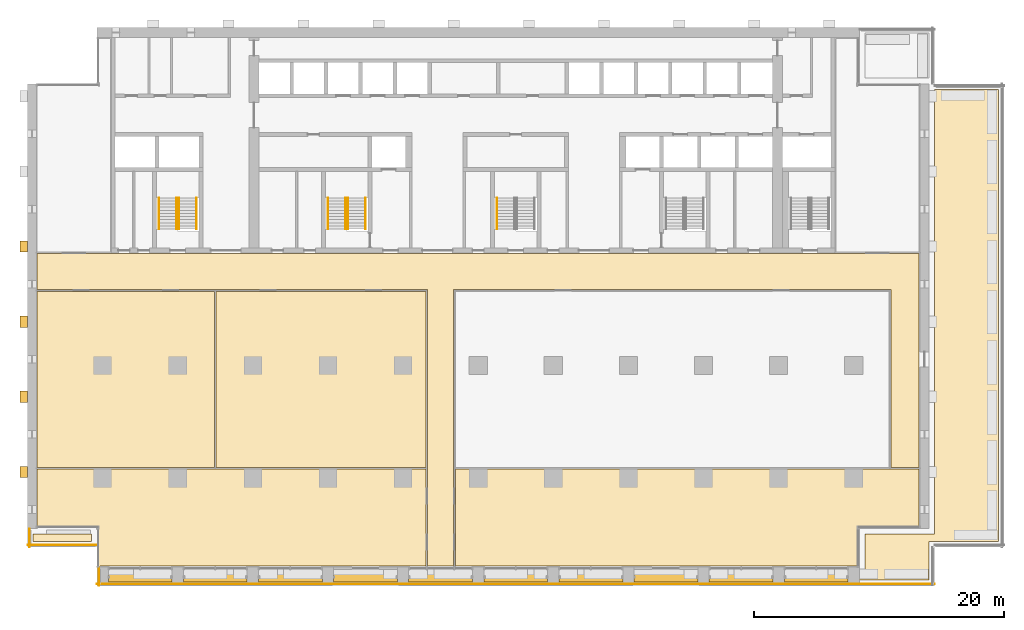
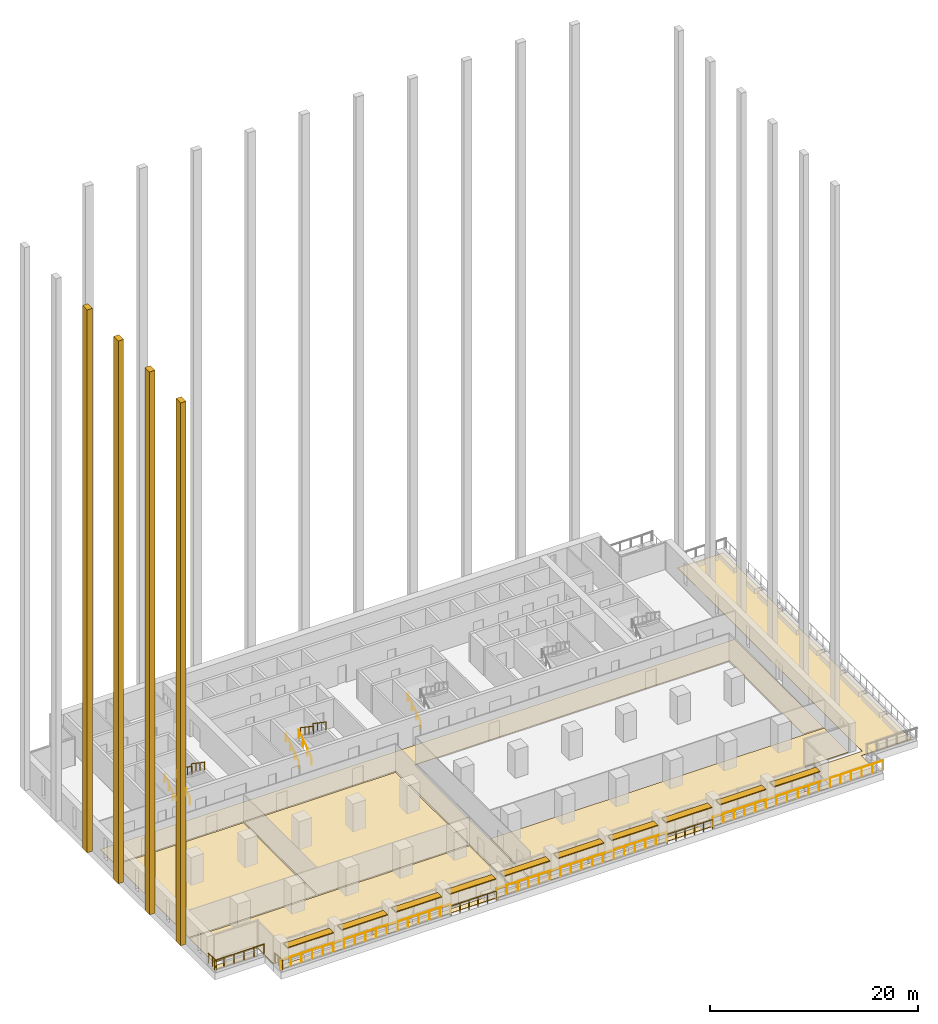
# One storey, part 15 of 18: 17 railings, 11 coverings, 10 shading devices, 3 elements without a shape of their own.
"""IFC4 building model written with IfcOpenShell, lengths in metres."""

import ifcopenshell
import ifcopenshell.guid

model = None  # the IFC model being written
_history = None  # IfcOwnerHistory: only IFC2X3 demands one
_inside = {}  # id of a spatial element -> (the spatial element, [elements in it])
_under = {}  # id of a project, library or spatial element -> (it, [spatial elements below it])
_declared = {}  # id of a project -> (the project, [libraries it declares])
_typed = {}  # id of a type object -> (the type object, [elements of that type])
_made_of = {}  # id of a material, layer set ... -> (it, [elements and type objects made of it])


def new_model(schema):
    """Start an empty IFC model of exactly this schema.

    Asked for "IFC4X3", IfcOpenShell would pick the latest addendum, in which some entities
    have other attributes; the version numbers below select the first issue.
    IFC2X3 requires an IfcOwnerHistory on every rooted entity: one is made here for all.
    """
    global model, _history
    if schema == "IFC4X3":
        model = ifcopenshell.file(schema_version=(4, 3, 0, 0))
    else:
        model = ifcopenshell.file(schema=schema)
    _inside.clear()
    _under.clear()
    _declared.clear()
    _typed.clear()
    _made_of.clear()
    _history = None
    if model.schema == "IFC2X3":
        org = make("IfcOrganization", Name="unknown")
        user = make(
            "IfcPersonAndOrganization",
            ThePerson=make("IfcPerson", FamilyName="unknown"),
            TheOrganization=org,
        )
        app = make(
            "IfcApplication",
            ApplicationDeveloper=org,
            Version="unknown",
            ApplicationFullName="unknown",
            ApplicationIdentifier="unknown",
        )
        _history = make(
            "IfcOwnerHistory",
            OwningUser=user,
            OwningApplication=app,
            ChangeAction="ADDED",
            CreationDate=0,
        )
    return model


def make(cls, **values):
    """One entity of the class cls with the attributes given. An attribute that is None is left unset."""
    return model.create_entity(
        cls, **{name: value for name, value in values.items() if value is not None}
    )


def rooted(cls, **values):
    """An entity with a GlobalId (a new one), such as an element, a storey or a relation."""
    return make(cls, GlobalId=ifcopenshell.guid.new(), OwnerHistory=_history, **values)


def si_unit(unit_type, name, prefix=None):
    """IfcSIUnit, for example si_unit("LENGTHUNIT", "METRE", prefix="MILLI")."""
    return make("IfcSIUnit", UnitType=unit_type, Prefix=prefix, Name=name)


def assignment(units):
    """IfcUnitAssignment: the units of a project."""
    return None if units is None else make("IfcUnitAssignment", Units=units)


def point(xyz):
    """IfcCartesianPoint."""
    return None if xyz is None else make("IfcCartesianPoint", Coordinates=xyz)


def direction(xyz):
    """IfcDirection."""
    return None if xyz is None else make("IfcDirection", DirectionRatios=xyz)


def frame(location, z_axis=None, x_axis=None):
    """IfcAxis2Placement3D, a coordinate frame: its origin and axes. An axis left out is left unset."""
    return make(
        "IfcAxis2Placement3D",
        Location=point(location),
        Axis=direction(z_axis),
        RefDirection=direction(x_axis),
    )


def frame_2d(location, x_axis=None):
    """IfcAxis2Placement2D, a coordinate frame in the plane: its origin and x axis."""
    return make(
        "IfcAxis2Placement2D", Location=point(location), RefDirection=direction(x_axis)
    )


def origin():
    """The frame at (0, 0, 0) with its axes left unset."""
    return frame((0.0, 0.0, 0.0))


def origin_2d():
    """The frame at (0, 0) in the plane with its x axis left unset."""
    return frame_2d((0.0, 0.0))


def place(relative_to, where):
    """IfcLocalPlacement: puts the frame where relative to a parent placement (None: the world)."""
    return make(
        "IfcLocalPlacement", PlacementRelTo=relative_to, RelativePlacement=where
    )


def context(
    kind, dimensions, precision=None, world=None, true_north=None, identifier=None
):
    """IfcGeometricRepresentationContext, for example the 3D "Model" context."""
    return make(
        "IfcGeometricRepresentationContext",
        ContextIdentifier=identifier,
        ContextType=kind,
        CoordinateSpaceDimension=dimensions,
        Precision=precision,
        WorldCoordinateSystem=world,
        TrueNorth=true_north,
    )


def subcontext(parent, identifier, kind, view, scale=None):
    """IfcGeometricRepresentationSubContext, for example "Body" below "Model"."""
    return make(
        "IfcGeometricRepresentationSubContext",
        ContextIdentifier=identifier,
        ContextType=kind,
        ParentContext=parent,
        TargetScale=scale,
        TargetView=view,
    )


def project(units=None, contexts=None):
    """IfcProject with its units and contexts."""
    return rooted(
        "IfcProject",
        Name="project",
        RepresentationContexts=contexts,
        UnitsInContext=assignment(units),
    )


def spatial(cls, under=None, at=None, **own):
    """A site, building, storey or space (cls), placed at a placement, below another one or the project."""
    s = rooted(cls, ObjectPlacement=at, **own)
    if under is not None:
        _under.setdefault(under.id(), (under, []))[1].append(s)
    return s


def polyline(points):
    """IfcPolyline through the points."""
    return make("IfcPolyline", Points=[point(p) for p in points])


def profile(cls, at=None, kind="AREA", **sizes):
    """A parametric profile (cls). Its sizes go by their IFC names, for example OverallWidth=200.0."""
    return make(cls, ProfileType=kind, Position=at, **sizes)


def rectangle(**sizes):
    """IfcRectangleProfileDef."""
    return profile("IfcRectangleProfileDef", **sizes)


def circle(**sizes):
    """IfcCircleProfileDef."""
    return profile("IfcCircleProfileDef", **sizes)


def outline(outer, holes=None, kind="AREA"):
    """IfcArbitraryClosedProfileDef: a profile drawn as a closed curve; with holes, ...WithVoids."""
    if holes is None:
        return make("IfcArbitraryClosedProfileDef", ProfileType=kind, OuterCurve=outer)
    return make(
        "IfcArbitraryProfileDefWithVoids",
        ProfileType=kind,
        OuterCurve=outer,
        InnerCurves=holes,
    )


def extrude(swept, where, along, depth):
    """IfcExtrudedAreaSolid: the profile swept, set in the frame where, extruded along a direction by depth."""
    return make(
        "IfcExtrudedAreaSolid",
        SweptArea=swept,
        Position=where,
        ExtrudedDirection=direction(along),
        Depth=depth,
    )


def shape(context_of_items, identifier, shape_type, items):
    """IfcShapeRepresentation: the items that make up one representation, for example the "Body"."""
    return make(
        "IfcShapeRepresentation",
        ContextOfItems=context_of_items,
        RepresentationIdentifier=identifier,
        RepresentationType=shape_type,
        Items=items,
    )


def material(Name=None, Category=None):
    """IfcMaterial."""
    return make("IfcMaterial", Name=Name, Category=Category)


def layer(
    of_material, thickness, ventilated=None, Name=None, Category=None, Priority=None
):
    """IfcMaterialLayer: one layer of a wall or slab, of a material (None: an air gap)."""
    return make(
        "IfcMaterialLayer",
        Material=of_material,
        LayerThickness=thickness,
        IsVentilated=ventilated,
        Name=Name,
        Category=Category,
        Priority=Priority,
    )


def layer_set(layers, Name=None):
    """IfcMaterialLayerSet."""
    return make("IfcMaterialLayerSet", MaterialLayers=layers, LayerSetName=Name)


def material_profile(
    of_material, cross_section, Name=None, Category=None, Priority=None
):
    """IfcMaterialProfile: a cross section and its material."""
    return make(
        "IfcMaterialProfile",
        Name=Name,
        Material=of_material,
        Profile=cross_section,
        Priority=Priority,
        Category=Category,
    )


def profile_set(profiles, Name=None, composite=None):
    """IfcMaterialProfileSet."""
    return make(
        "IfcMaterialProfileSet",
        Name=Name,
        MaterialProfiles=profiles,
        CompositeProfile=composite,
    )


def made_of(thing, what):
    """Note that an element or type object is made of a material, layer set ...; save() writes the relation."""
    if what is not None:
        _made_of.setdefault(what.id(), (what, []))[1].append(thing)
    return thing


def type_object(cls, material=None, **own):
    """A type object (cls), such as IfcWallType, which elements share."""
    return made_of(rooted(cls, **own), material)


def element(
    cls,
    number,
    at=None,
    inside=None,
    cuts=None,
    type_object=None,
    material=None,
    context=None,
    identifier="Body",
    shape_type=None,
    held_by="IfcProductDefinitionShape",
    body=None,
    shapes=None,
    **own,
):
    """One element of the class cls, such as IfcWall. Its Tag is "e" and its number.

    at: its placement. inside: the storey or other place that contains it. cuts: it is an
    opening in that element (IfcRelVoidsElement). A single representation is given by context,
    identifier, shape_type and body (its items); several are given by shapes. held_by: the class
    of the entity that holds the representations. save() writes the other relations.
    """
    e = rooted(cls, Tag="e%d" % number, ObjectPlacement=at, **own)
    if body is not None:
        shapes = [shape(context, identifier, shape_type, body)]
    if shapes is not None:
        e.Representation = make(held_by, Representations=shapes)
    if inside is not None:
        _inside.setdefault(inside.id(), (inside, []))[1].append(e)
    if cuts is not None:
        rooted(
            "IfcRelVoidsElement", RelatingBuildingElement=cuts, RelatedOpeningElement=e
        )
    if type_object is not None:
        _typed.setdefault(type_object.id(), (type_object, []))[1].append(e)
    return made_of(e, material)


def aggregate(whole, parts):
    """IfcRelAggregates: a whole, such as a stair, and the parts it consists of."""
    return rooted("IfcRelAggregates", RelatingObject=whole, RelatedObjects=parts)


def save(model, path):
    """Write the relations noted so far, then the file.

    IfcRelAggregates (storeys below a building ...), IfcRelContainedInSpatialStructure (elements
    in a storey), IfcRelDefinesByType, IfcRelAssociatesMaterial and IfcRelDeclares: one each for
    every whole, place, type object, material and project.
    """
    for whole, parts in _under.values():
        aggregate(whole, parts)
    for where, things in _inside.values():
        rooted(
            "IfcRelContainedInSpatialStructure",
            RelatedElements=things,
            RelatingStructure=where,
        )
    for kind, things in _typed.values():
        rooted("IfcRelDefinesByType", RelatedObjects=things, RelatingType=kind)
    for what, things in _made_of.values():
        rooted("IfcRelAssociatesMaterial", RelatedObjects=things, RelatingMaterial=what)
    for by, libraries in _declared.values():
        rooted("IfcRelDeclares", RelatingContext=by, RelatedDefinitions=libraries)
    model.write(path)


model = new_model("IFC4")

# Units and contexts
model_context = context("Model", 3, precision=1e-05, world=origin(), true_north=direction((0.0, 1.0)))
body_context = subcontext(model_context, "Body", "Model", "MODEL_VIEW")
ifc_project = project(units=[si_unit("LENGTHUNIT", "METRE"), si_unit("AREAUNIT", "SQUARE_METRE"), si_unit("VOLUMEUNIT", "CUBIC_METRE"), si_unit("PLANEANGLEUNIT", "RADIAN"), si_unit("MASSUNIT", "GRAM", prefix="KILO")], contexts=[model_context])

# Site, building, storey
site_placement = place(None, origin())
site = spatial("IfcSite", under=ifc_project, at=site_placement, CompositionType="ELEMENT")
building_placement = place(site_placement, origin())
building = spatial("IfcBuilding", under=site, at=building_placement, Name="Calvaro Tower", CompositionType="ELEMENT")
storey_placement = place(building_placement, frame((0.0, 0.0, 95.0)))
storey = spatial("IfcBuildingStorey", under=building, at=storey_placement, Name="L23", CompositionType="ELEMENT", Elevation=95.0)

# Shading devices
ifc_material_1 = material(Name="Anodised aluminium", Category="aluminium")
ifc_material_profile = material_profile(ifc_material_1, rectangle(XDim=0.800048828125, YDim=0.10009765625, at=origin_2d()), Name="Brise-soleil blade 800 x 100")
ifc_profile_set = profile_set([ifc_material_profile], Name="Anodised aluminium")
shading_device_type = type_object("IfcShadingDeviceType", Name="Brise-soleil blade 800 x 100", PredefinedType="JALOUSIE", material=ifc_profile_set)
for number, where, z_axis, x_axis, name in (
    (1, (6.449951171875, 2.10009765625, 2.39990234375), (1.0, 0.0, 0.0), (0.0, 1.0, 0.0), "Brise-soleil blade 1"),
    (2, (12.449951171875, 2.10009765625, 2.39990234375), (1.0, 0.0, 0.0), (0.0, 1.0, 0.0), "Brise-soleil blade 2"),
    (3, (18.449951171875, 2.10009765625, 2.39990234375), (1.0, 0.0, 0.0), (0.0, 1.0, 0.0), "Brise-soleil blade 3"),
    (4, (24.449951171875, 2.10009765625, 2.39990234375), (1.0, 0.0, 0.0), (0.0, 1.0, 0.0), "Brise-soleil blade 4"),
    (5, (30.449951171875, 2.10009765625, 2.39990234375), (1.0, 0.0, 0.0), (0.0, 1.0, 0.0), "Brise-soleil blade 5"),
    (6, (36.449951171875, 2.10009765625, 2.39990234375), (1.0, 0.0, 0.0), (0.0, 1.0, 0.0), "Brise-soleil blade 6"),
    (7, (42.449951171875, 2.10009765625, 2.39990234375), (1.0, 0.0, 0.0), (0.0, 1.0, 0.0), "Brise-soleil blade 7"),
    (8, (48.449951171875, 2.10009765625, 2.39990234375), (1.0, 0.0, 0.0), (0.0, 1.0, 0.0), "Brise-soleil blade 8"),
    (9, (54.449951171875, 2.10009765625, 2.39990234375), (1.0, 0.0, 0.0), (0.0, 1.0, 0.0), "Brise-soleil blade 9"),
    (10, (60.449951171875, 2.10009765625, 2.39990234375), (1.0, 0.0, 0.0), (0.0, 1.0, 0.0), "Brise-soleil blade 10"),
):
    element("IfcShadingDevice", number, at=place(storey_placement, frame(where, z_axis=z_axis, x_axis=x_axis)), inside=storey, type_object=shading_device_type, Name=name, PredefinedType="JALOUSIE", context=body_context, shape_type="SweptSolid", body=[
        extrude(rectangle(XDim=0.800048828125, YDim=0.10009765625, at=origin_2d()), origin(), (0.0, 0.0, 1.0), 5.10009765625),
    ])

# Coverings
ifc_material_2 = material(Name="Cement screed with carpet tile finish")
ifc_layer_1 = layer(ifc_material_2, 0.050048828125)
ifc_layer_set_1 = layer_set([ifc_layer_1], Name="Cement screed with carpet tile finish")
covering_type_1 = type_object("IfcCoveringType", Name="Floor finish 50", PredefinedType="FLOORING", material=ifc_layer_set_1)
covering_1_placement = place(storey_placement, origin())
element("IfcCovering", 11, at=covering_1_placement, inside=storey, type_object=covering_type_1, Name="Floor finish 41.01", PredefinedType="FLOORING", context=body_context, shape_type="SweptSolid", body=[
    extrude(outline(polyline([(31.969970703125, 2.969970703125), (31.969970703125, 25.070068359375), (0.77001953125, 25.070068359375), (0.77001953125, 27.929931640625), (71.22998046875, 27.929931640625), (71.22998046875, 10.8701171875), (68.969970703125, 10.8701171875), (68.969970703125, 25.070068359375), (34.030029296875, 25.070068359375), (34.030029296875, 2.969970703125), (31.969970703125, 2.969970703125)])), origin(), (0.0, 0.0, 1.0), 0.050048828125),
])
covering_2_placement = place(storey_placement, origin())
element("IfcCovering", 12, at=covering_2_placement, inside=storey, type_object=covering_type_1, Name="Floor finish 41.04", PredefinedType="FLOORING", context=body_context, shape_type="SweptSolid", body=[
    extrude(outline(polyline([(0.77001953125, 24.929931640625), (14.929931640625, 24.929931640625), (14.929931640625, 10.8701171875), (0.77001953125, 10.8701171875), (0.77001953125, 24.929931640625)])), origin(), (0.0, 0.0, 1.0), 0.050048828125),
])
covering_3_placement = place(storey_placement, origin())
element("IfcCovering", 13, at=covering_3_placement, inside=storey, type_object=covering_type_1, Name="Floor finish 41.05", PredefinedType="FLOORING", context=body_context, shape_type="SweptSolid", body=[
    extrude(outline(polyline([(31.830078125, 10.8701171875), (15.070068359375, 10.8701171875), (15.070068359375, 24.929931640625), (31.830078125, 24.929931640625), (31.830078125, 10.8701171875)])), origin(), (0.0, 0.0, 1.0), 0.050048828125),
])
covering_4_placement = place(storey_placement, origin())
element("IfcCovering", 14, at=covering_4_placement, inside=storey, type_object=covering_type_1, Name="Floor finish 41.02", PredefinedType="FLOORING", context=body_context, shape_type="SweptSolid", body=[
    extrude(outline(polyline([(31.830078125, 2.969970703125), (5.6201171875, 2.969970703125), (5.6201171875, 6.070068359375), (0.77001953125, 6.070068359375), (0.77001953125, 10.72998046875), (31.830078125, 10.72998046875), (31.830078125, 2.969970703125)])), origin(), (0.0, 0.0, 1.0), 0.050048828125),
])
covering_5_placement = place(storey_placement, origin())
element("IfcCovering", 15, at=covering_5_placement, inside=storey, type_object=covering_type_1, Name="Floor finish 41.03", PredefinedType="FLOORING", context=body_context, shape_type="SweptSolid", body=[
    extrude(outline(polyline([(66.3798828125, 6.070068359375), (66.3798828125, 2.969970703125), (34.169921875, 2.969970703125), (34.169921875, 10.72998046875), (71.22998046875, 10.72998046875), (71.22998046875, 6.070068359375), (66.3798828125, 6.070068359375)])), origin(), (0.0, 0.0, 1.0), 0.050048828125),
])

# Railings
ifc_material_3 = material(Name="Stainless steel", Category="steel")
railing_type_1 = type_object("IfcRailingType", Name="Guard 1100", PredefinedType="GUARDRAIL", material=ifc_material_3)
railing_1_placement = place(storey_placement, frame((5.530029296875, 4.64990234375, 0.300048828125)))
element("IfcRailing", 16, at=railing_1_placement, inside=storey, type_object=railing_type_1, Name="Terrace guard", PredefinedType="GUARDRAIL", context=body_context, shape_type="SweptSolid", body=[
    extrude(circle(Radius=0.02392578125, at=origin_2d()), frame((0.0, 0.0, 1.076171875), z_axis=(-1.0, 0.0, 0.0), x_axis=(0.0, -1.0, 0.0)), (0.0, 0.0, 1.0), 5.530029296875),
    extrude(circle(Radius=0.02099609375, at=origin_2d()), frame((-0.02099609375, 0.0, 0.0)), (0.0, 0.0, 1.0), 1.052001953125),
    extrude(circle(Radius=0.02099609375, at=origin_2d()), frame((-1.10595703125, 0.0, 0.0)), (0.0, 0.0, 1.0), 1.052001953125),
    extrude(circle(Radius=0.02099609375, at=origin_2d()), frame((-2.2119140625, 0.0, 0.0)), (0.0, 0.0, 1.0), 1.052001953125),
    extrude(circle(Radius=0.02099609375, at=origin_2d()), frame((-3.318115234375, 0.0, 0.0)), (0.0, 0.0, 1.0), 1.052001953125),
    extrude(circle(Radius=0.02099609375, at=origin_2d()), frame((-4.424072265625, 0.0, 0.0)), (0.0, 0.0, 1.0), 1.052001953125),
    extrude(circle(Radius=0.02099609375, at=origin_2d()), frame((-5.509033203125, 0.0, 0.0)), (0.0, 0.0, 1.0), 1.052001953125),
])
for number, where, name in (
    (17, (0.14990234375, 4.5, 0.300048828125), "Terrace guard"),
    (18, (5.699951171875, 1.39990234375, 0.300048828125), "Terrace guard"),
):
    element("IfcRailing", number, at=place(storey_placement, frame(where)), inside=storey, type_object=railing_type_1, Name=name, PredefinedType="GUARDRAIL", context=body_context, shape_type="SweptSolid", body=[
        extrude(circle(Radius=0.02392578125, at=origin_2d()), frame((0.0, 0.0, 1.076171875), z_axis=(0.0, 1.0, 0.0), x_axis=(-1.0, 0.0, 0.0)), (0.0, 0.0, 1.0), 1.47998046875),
        extrude(circle(Radius=0.02099609375, at=origin_2d()), frame((0.0, 0.02099609375, 0.0)), (0.0, 0.0, 1.0), 1.052001953125),
        extrude(circle(Radius=0.02099609375, at=origin_2d()), frame((0.0, 0.739990234375, 0.0)), (0.0, 0.0, 1.0), 1.052001953125),
        extrude(circle(Radius=0.02099609375, at=origin_2d()), frame((0.0, 1.458984375, 0.0)), (0.0, 0.0, 1.0), 1.052001953125),
    ])
railing_2_placement = place(storey_placement, frame((5.550048828125, 1.550048828125, 0.300048828125)))
element("IfcRailing", 19, at=railing_2_placement, inside=storey, type_object=railing_type_1, Name="Terrace guard", PredefinedType="GUARDRAIL", context=body_context, shape_type="SweptSolid", body=[
    extrude(circle(Radius=0.02392578125, at=origin_2d()), frame((0.0, 0.0, 1.076171875), z_axis=(1.0, 0.0, 0.0), x_axis=(0.0, 1.0, 0.0)), (0.0, 0.0, 1.0), 18.89990234375),
    extrude(circle(Radius=0.02099609375, at=origin_2d()), frame((0.02099609375, 0.0, 0.0)), (0.0, 0.0, 1.0), 1.052001953125),
    extrude(circle(Radius=0.02099609375, at=origin_2d()), frame((1.18115234375, 0.0, 0.0)), (0.0, 0.0, 1.0), 1.052001953125),
    extrude(circle(Radius=0.02099609375, at=origin_2d()), frame((2.362548828125, 0.0, 0.0)), (0.0, 0.0, 1.0), 1.052001953125),
    extrude(circle(Radius=0.02099609375, at=origin_2d()), frame((3.543701171875, 0.0, 0.0)), (0.0, 0.0, 1.0), 1.052001953125),
    extrude(circle(Radius=0.02099609375, at=origin_2d()), frame((4.72509765625, 0.0, 0.0)), (0.0, 0.0, 1.0), 1.052001953125),
    extrude(circle(Radius=0.02099609375, at=origin_2d()), frame((5.90625, 0.0, 0.0)), (0.0, 0.0, 1.0), 1.052001953125),
    extrude(circle(Radius=0.02099609375, at=origin_2d()), frame((7.08740234375, 0.0, 0.0)), (0.0, 0.0, 1.0), 1.052001953125),
    extrude(circle(Radius=0.02099609375, at=origin_2d()), frame((8.268798828125, 0.0, 0.0)), (0.0, 0.0, 1.0), 1.052001953125),
    extrude(circle(Radius=0.02099609375, at=origin_2d()), frame((9.449951171875, 0.0, 0.0)), (0.0, 0.0, 1.0), 1.052001953125),
    extrude(circle(Radius=0.02099609375, at=origin_2d()), frame((10.631103515625, 0.0, 0.0)), (0.0, 0.0, 1.0), 1.052001953125),
    extrude(circle(Radius=0.02099609375, at=origin_2d()), frame((11.8125, 0.0, 0.0)), (0.0, 0.0, 1.0), 1.052001953125),
    extrude(circle(Radius=0.02099609375, at=origin_2d()), frame((12.99365234375, 0.0, 0.0)), (0.0, 0.0, 1.0), 1.052001953125),
    extrude(circle(Radius=0.02099609375, at=origin_2d()), frame((14.1748046875, 0.0, 0.0)), (0.0, 0.0, 1.0), 1.052001953125),
    extrude(circle(Radius=0.02099609375, at=origin_2d()), frame((15.356201171875, 0.0, 0.0)), (0.0, 0.0, 1.0), 1.052001953125),
    extrude(circle(Radius=0.02099609375, at=origin_2d()), frame((16.537353515625, 0.0, 0.0)), (0.0, 0.0, 1.0), 1.052001953125),
    extrude(circle(Radius=0.02099609375, at=origin_2d()), frame((17.71875, 0.0, 0.0)), (0.0, 0.0, 1.0), 1.052001953125),
    extrude(circle(Radius=0.02099609375, at=origin_2d()), frame((18.87890625, 0.0, 0.0)), (0.0, 0.0, 1.0), 1.052001953125),
])
railing_3_placement = place(storey_placement, frame((24.449951171875, 1.550048828125, 0.0)))
element("IfcRailing", 20, at=railing_3_placement, inside=storey, type_object=railing_type_1, Name="Terrace guard", PredefinedType="GUARDRAIL", context=body_context, shape_type="SweptSolid", body=[
    extrude(circle(Radius=0.02392578125, at=origin_2d()), frame((0.0, 0.0, 1.076171875), z_axis=(1.0, 0.0, 0.0), x_axis=(0.0, 1.0, 0.0)), (0.0, 0.0, 1.0), 5.10009765625),
    extrude(circle(Radius=0.02099609375, at=origin_2d()), frame((0.02099609375, 0.0, 0.0)), (0.0, 0.0, 1.0), 1.052001953125),
    extrude(circle(Radius=0.02099609375, at=origin_2d()), frame((1.02001953125, 0.0, 0.0)), (0.0, 0.0, 1.0), 1.052001953125),
    extrude(circle(Radius=0.02099609375, at=origin_2d()), frame((2.0400390625, 0.0, 0.0)), (0.0, 0.0, 1.0), 1.052001953125),
    extrude(circle(Radius=0.02099609375, at=origin_2d()), frame((3.06005859375, 0.0, 0.0)), (0.0, 0.0, 1.0), 1.052001953125),
    extrude(circle(Radius=0.02099609375, at=origin_2d()), frame((4.080078125, 0.0, 0.0)), (0.0, 0.0, 1.0), 1.052001953125),
    extrude(circle(Radius=0.02099609375, at=origin_2d()), frame((5.0791015625, 0.0, 0.0)), (0.0, 0.0, 1.0), 1.052001953125),
])
railing_4_placement = place(storey_placement, frame((29.550048828125, 1.550048828125, 0.300048828125)))
element("IfcRailing", 21, at=railing_4_placement, inside=storey, type_object=railing_type_1, Name="Terrace guard", PredefinedType="GUARDRAIL", context=body_context, shape_type="SweptSolid", body=[
    extrude(circle(Radius=0.02392578125, at=origin_2d()), frame((0.0, 0.0, 1.076171875), z_axis=(1.0, 0.0, 0.0), x_axis=(0.0, 1.0, 0.0)), (0.0, 0.0, 1.0), 18.89990234375),
    extrude(circle(Radius=0.02099609375, at=origin_2d()), frame((0.02099609375, 0.0, 0.0)), (0.0, 0.0, 1.0), 1.052001953125),
    extrude(circle(Radius=0.02099609375, at=origin_2d()), frame((1.18115234375, 0.0, 0.0)), (0.0, 0.0, 1.0), 1.052001953125),
    extrude(circle(Radius=0.02099609375, at=origin_2d()), frame((2.362548828125, 0.0, 0.0)), (0.0, 0.0, 1.0), 1.052001953125),
    extrude(circle(Radius=0.02099609375, at=origin_2d()), frame((3.543701171875, 0.0, 0.0)), (0.0, 0.0, 1.0), 1.052001953125),
    extrude(circle(Radius=0.02099609375, at=origin_2d()), frame((4.72509765625, 0.0, 0.0)), (0.0, 0.0, 1.0), 1.052001953125),
    extrude(circle(Radius=0.02099609375, at=origin_2d()), frame((5.90625, 0.0, 0.0)), (0.0, 0.0, 1.0), 1.052001953125),
    extrude(circle(Radius=0.02099609375, at=origin_2d()), frame((7.08740234375, 0.0, 0.0)), (0.0, 0.0, 1.0), 1.052001953125),
    extrude(circle(Radius=0.02099609375, at=origin_2d()), frame((8.268798828125, 0.0, 0.0)), (0.0, 0.0, 1.0), 1.052001953125),
    extrude(circle(Radius=0.02099609375, at=origin_2d()), frame((9.449951171875, 0.0, 0.0)), (0.0, 0.0, 1.0), 1.052001953125),
    extrude(circle(Radius=0.02099609375, at=origin_2d()), frame((10.631103515625, 0.0, 0.0)), (0.0, 0.0, 1.0), 1.052001953125),
    extrude(circle(Radius=0.02099609375, at=origin_2d()), frame((11.8125, 0.0, 0.0)), (0.0, 0.0, 1.0), 1.052001953125),
    extrude(circle(Radius=0.02099609375, at=origin_2d()), frame((12.99365234375, 0.0, 0.0)), (0.0, 0.0, 1.0), 1.052001953125),
    extrude(circle(Radius=0.02099609375, at=origin_2d()), frame((14.1748046875, 0.0, 0.0)), (0.0, 0.0, 1.0), 1.052001953125),
    extrude(circle(Radius=0.02099609375, at=origin_2d()), frame((15.356201171875, 0.0, 0.0)), (0.0, 0.0, 1.0), 1.052001953125),
    extrude(circle(Radius=0.02099609375, at=origin_2d()), frame((16.537353515625, 0.0, 0.0)), (0.0, 0.0, 1.0), 1.052001953125),
    extrude(circle(Radius=0.02099609375, at=origin_2d()), frame((17.71875, 0.0, 0.0)), (0.0, 0.0, 1.0), 1.052001953125),
    extrude(circle(Radius=0.02099609375, at=origin_2d()), frame((18.87890625, 0.0, 0.0)), (0.0, 0.0, 1.0), 1.052001953125),
])
railing_5_placement = place(storey_placement, frame((48.449951171875, 1.550048828125, 0.0)))
element("IfcRailing", 22, at=railing_5_placement, inside=storey, type_object=railing_type_1, Name="Terrace guard", PredefinedType="GUARDRAIL", context=body_context, shape_type="SweptSolid", body=[
    extrude(circle(Radius=0.02392578125, at=origin_2d()), frame((0.0, 0.0, 1.076171875), z_axis=(1.0, 0.0, 0.0), x_axis=(0.0, 1.0, 0.0)), (0.0, 0.0, 1.0), 5.10009765625),
    extrude(circle(Radius=0.02099609375, at=origin_2d()), frame((0.02099609375, 0.0, 0.0)), (0.0, 0.0, 1.0), 1.052001953125),
    extrude(circle(Radius=0.02099609375, at=origin_2d()), frame((1.02001953125, 0.0, 0.0)), (0.0, 0.0, 1.0), 1.052001953125),
    extrude(circle(Radius=0.02099609375, at=origin_2d()), frame((2.0400390625, 0.0, 0.0)), (0.0, 0.0, 1.0), 1.052001953125),
    extrude(circle(Radius=0.02099609375, at=origin_2d()), frame((3.06005859375, 0.0, 0.0)), (0.0, 0.0, 1.0), 1.052001953125),
    extrude(circle(Radius=0.02099609375, at=origin_2d()), frame((4.080078125, 0.0, 0.0)), (0.0, 0.0, 1.0), 1.052001953125),
    extrude(circle(Radius=0.02099609375, at=origin_2d()), frame((5.0791015625, 0.0, 0.0)), (0.0, 0.0, 1.0), 1.052001953125),
])
railing_6_placement = place(storey_placement, frame((53.550048828125, 1.550048828125, 0.300048828125)))
element("IfcRailing", 23, at=railing_6_placement, inside=storey, type_object=railing_type_1, Name="Terrace guard", PredefinedType="GUARDRAIL", context=body_context, shape_type="SweptSolid", body=[
    extrude(circle(Radius=0.02392578125, at=origin_2d()), frame((0.0, 0.0, 1.076171875), z_axis=(1.0, 0.0, 0.0), x_axis=(0.0, 1.0, 0.0)), (0.0, 0.0, 1.0), 18.89990234375),
    extrude(circle(Radius=0.02099609375, at=origin_2d()), frame((0.02099609375, 0.0, 0.0)), (0.0, 0.0, 1.0), 1.052001953125),
    extrude(circle(Radius=0.02099609375, at=origin_2d()), frame((1.18115234375, 0.0, 0.0)), (0.0, 0.0, 1.0), 1.052001953125),
    extrude(circle(Radius=0.02099609375, at=origin_2d()), frame((2.362548828125, 0.0, 0.0)), (0.0, 0.0, 1.0), 1.052001953125),
    extrude(circle(Radius=0.02099609375, at=origin_2d()), frame((3.543701171875, 0.0, 0.0)), (0.0, 0.0, 1.0), 1.052001953125),
    extrude(circle(Radius=0.02099609375, at=origin_2d()), frame((4.72509765625, 0.0, 0.0)), (0.0, 0.0, 1.0), 1.052001953125),
    extrude(circle(Radius=0.02099609375, at=origin_2d()), frame((5.90625, 0.0, 0.0)), (0.0, 0.0, 1.0), 1.052001953125),
    extrude(circle(Radius=0.02099609375, at=origin_2d()), frame((7.08740234375, 0.0, 0.0)), (0.0, 0.0, 1.0), 1.052001953125),
    extrude(circle(Radius=0.02099609375, at=origin_2d()), frame((8.268798828125, 0.0, 0.0)), (0.0, 0.0, 1.0), 1.052001953125),
    extrude(circle(Radius=0.02099609375, at=origin_2d()), frame((9.449951171875, 0.0, 0.0)), (0.0, 0.0, 1.0), 1.052001953125),
    extrude(circle(Radius=0.02099609375, at=origin_2d()), frame((10.631103515625, 0.0, 0.0)), (0.0, 0.0, 1.0), 1.052001953125),
    extrude(circle(Radius=0.02099609375, at=origin_2d()), frame((11.8125, 0.0, 0.0)), (0.0, 0.0, 1.0), 1.052001953125),
    extrude(circle(Radius=0.02099609375, at=origin_2d()), frame((12.99365234375, 0.0, 0.0)), (0.0, 0.0, 1.0), 1.052001953125),
    extrude(circle(Radius=0.02099609375, at=origin_2d()), frame((14.1748046875, 0.0, 0.0)), (0.0, 0.0, 1.0), 1.052001953125),
    extrude(circle(Radius=0.02099609375, at=origin_2d()), frame((15.356201171875, 0.0, 0.0)), (0.0, 0.0, 1.0), 1.052001953125),
    extrude(circle(Radius=0.02099609375, at=origin_2d()), frame((16.537353515625, 0.0, 0.0)), (0.0, 0.0, 1.0), 1.052001953125),
    extrude(circle(Radius=0.02099609375, at=origin_2d()), frame((17.71875, 0.0, 0.0)), (0.0, 0.0, 1.0), 1.052001953125),
    extrude(circle(Radius=0.02099609375, at=origin_2d()), frame((18.87890625, 0.0, 0.0)), (0.0, 0.0, 1.0), 1.052001953125),
])

# Stair, railings
ifc_material_4 = material(Name="Concrete C40/50", Category="concrete")
stair_type = type_object("IfcStairType", Name="Exit stair 1400 2 flights", PredefinedType="HALF_TURN_STAIR", material=ifc_material_4)
stair_1_placement = place(storey_placement, origin())
stair_1 = element("IfcStair", 24, at=stair_1_placement, inside=storey, type_object=stair_type, Name="Exit stair S1", PredefinedType="HALF_TURN_STAIR")
ifc_material_5 = material(Name="Stainless steel", Category="steel")
railing_type_2 = type_object("IfcRailingType", Name="Stair handrail", PredefinedType="HANDRAIL", material=ifc_material_5)
railing_7_placement = place(storey_placement, frame((11.89990234375, 29.89990234375, 0.17041015625)))
railing_7 = element("IfcRailing", 25, at=railing_7_placement, type_object=railing_type_2, Name="Exit stair 1 handrail", PredefinedType="HANDRAIL", context=body_context, shape_type="SweptSolid", body=[
    extrude(circle(Radius=0.02392578125, at=origin_2d()), frame((0.0, 0.0, 0.8759765625), z_axis=(0.0, 0.826220514629, 0.563346839174), x_axis=(-1.0, 0.0, 0.0)), (0.0, 0.0, 1.0), 3.02587890625),
    extrude(circle(Radius=0.02099609375, at=origin_2d()), frame((0.0, 0.017333984375, 0.01171875)), (0.0, 0.0, 1.0), 0.851806640625),
    extrude(circle(Radius=0.02099609375, at=origin_2d()), frame((0.0, 0.833251953125, 0.568115234375)), (0.0, 0.0, 1.0), 0.851806640625),
    extrude(circle(Radius=0.02099609375, at=origin_2d()), frame((0.0, 1.666748046875, 1.136474609375)), (0.0, 0.0, 1.0), 0.851806640625),
    extrude(circle(Radius=0.02099609375, at=origin_2d()), frame((0.0, 2.482666015625, 1.69287109375)), (0.0, 0.0, 1.0), 0.851806640625),
])
railing_8_placement = place(storey_placement, frame((10.5, 29.89990234375, 0.17041015625)))
railing_8 = element("IfcRailing", 26, at=railing_8_placement, type_object=railing_type_2, Name="Exit stair 1 handrail", PredefinedType="HANDRAIL", context=body_context, shape_type="SweptSolid", body=[
    extrude(circle(Radius=0.02392578125, at=origin_2d()), frame((0.0, 0.0, 0.8759765625), z_axis=(0.0, 0.826220514629, 0.563346839174), x_axis=(-1.0, 0.0, 0.0)), (0.0, 0.0, 1.0), 3.02587890625),
    extrude(circle(Radius=0.02099609375, at=origin_2d()), frame((0.0, 0.017333984375, 0.01171875)), (0.0, 0.0, 1.0), 0.851806640625),
    extrude(circle(Radius=0.02099609375, at=origin_2d()), frame((0.0, 0.833251953125, 0.568115234375)), (0.0, 0.0, 1.0), 0.851806640625),
    extrude(circle(Radius=0.02099609375, at=origin_2d()), frame((0.0, 1.666748046875, 1.136474609375)), (0.0, 0.0, 1.0), 0.851806640625),
    extrude(circle(Radius=0.02099609375, at=origin_2d()), frame((0.0, 2.482666015625, 1.69287109375)), (0.0, 0.0, 1.0), 0.851806640625),
])
railing_9_placement = place(storey_placement, frame((12.10009765625, 32.39990234375, 2.04541015625)))
railing_9 = element("IfcRailing", 27, at=railing_9_placement, type_object=railing_type_2, Name="Exit stair 1 handrail", PredefinedType="HANDRAIL", context=body_context, shape_type="SweptSolid", body=[
    extrude(circle(Radius=0.02392578125, at=origin_2d()), frame((0.0, 0.0, 0.8759765625), z_axis=(0.0, -0.826220514629, 0.563346839174), x_axis=(1.0, 0.0, 0.0)), (0.0, 0.0, 1.0), 3.02587890625),
    extrude(circle(Radius=0.02099609375, at=origin_2d()), frame((0.0, -0.017333984375, 0.01171875)), (0.0, 0.0, 1.0), 0.851806640625),
    extrude(circle(Radius=0.02099609375, at=origin_2d()), frame((0.0, -0.833251953125, 0.568115234375)), (0.0, 0.0, 1.0), 0.851806640625),
    extrude(circle(Radius=0.02099609375, at=origin_2d()), frame((0.0, -1.666748046875, 1.136474609375)), (0.0, 0.0, 1.0), 0.851806640625),
    extrude(circle(Radius=0.02099609375, at=origin_2d()), frame((0.0, -2.482666015625, 1.69287109375)), (0.0, 0.0, 1.0), 0.851806640625),
])
railing_10_placement = place(storey_placement, frame((13.5, 32.39990234375, 2.04541015625)))
railing_10 = element("IfcRailing", 28, at=railing_10_placement, type_object=railing_type_2, Name="Exit stair 1 handrail", PredefinedType="HANDRAIL", context=body_context, shape_type="SweptSolid", body=[
    extrude(circle(Radius=0.02392578125, at=origin_2d()), frame((0.0, 0.0, 0.8759765625), z_axis=(0.0, -0.826220514629, 0.563346839174), x_axis=(1.0, 0.0, 0.0)), (0.0, 0.0, 1.0), 3.02587890625),
    extrude(circle(Radius=0.02099609375, at=origin_2d()), frame((0.0, -0.017333984375, 0.01171875)), (0.0, 0.0, 1.0), 0.851806640625),
    extrude(circle(Radius=0.02099609375, at=origin_2d()), frame((0.0, -0.833251953125, 0.568115234375)), (0.0, 0.0, 1.0), 0.851806640625),
    extrude(circle(Radius=0.02099609375, at=origin_2d()), frame((0.0, -1.666748046875, 1.136474609375)), (0.0, 0.0, 1.0), 0.851806640625),
    extrude(circle(Radius=0.02099609375, at=origin_2d()), frame((0.0, -2.482666015625, 1.69287109375)), (0.0, 0.0, 1.0), 0.851806640625),
])
aggregate(stair_1, [railing_7, railing_8, railing_9, railing_10])

stair_2_placement = place(storey_placement, origin())
stair_2 = element("IfcStair", 29, at=stair_2_placement, inside=storey, type_object=stair_type, Name="Exit stair S2", PredefinedType="HALF_TURN_STAIR")
railing_11_placement = place(storey_placement, frame((25.39990234375, 29.89990234375, 0.17041015625)))
railing_11 = element("IfcRailing", 30, at=railing_11_placement, type_object=railing_type_2, Name="Exit stair 2 handrail", PredefinedType="HANDRAIL", context=body_context, shape_type="SweptSolid", body=[
    extrude(circle(Radius=0.02392578125, at=origin_2d()), frame((0.0, 0.0, 0.8759765625), z_axis=(0.0, 0.826220514629, 0.563346839174), x_axis=(-1.0, 0.0, 0.0)), (0.0, 0.0, 1.0), 3.02587890625),
    extrude(circle(Radius=0.02099609375, at=origin_2d()), frame((0.0, 0.017333984375, 0.01171875)), (0.0, 0.0, 1.0), 0.851806640625),
    extrude(circle(Radius=0.02099609375, at=origin_2d()), frame((0.0, 0.833251953125, 0.568115234375)), (0.0, 0.0, 1.0), 0.851806640625),
    extrude(circle(Radius=0.02099609375, at=origin_2d()), frame((0.0, 1.666748046875, 1.136474609375)), (0.0, 0.0, 1.0), 0.851806640625),
    extrude(circle(Radius=0.02099609375, at=origin_2d()), frame((0.0, 2.482666015625, 1.69287109375)), (0.0, 0.0, 1.0), 0.851806640625),
])
railing_12_placement = place(storey_placement, frame((24.0, 29.89990234375, 0.17041015625)))
railing_12 = element("IfcRailing", 31, at=railing_12_placement, type_object=railing_type_2, Name="Exit stair 2 handrail", PredefinedType="HANDRAIL", context=body_context, shape_type="SweptSolid", body=[
    extrude(circle(Radius=0.02392578125, at=origin_2d()), frame((0.0, 0.0, 0.8759765625), z_axis=(0.0, 0.826220514629, 0.563346839174), x_axis=(-1.0, 0.0, 0.0)), (0.0, 0.0, 1.0), 3.02587890625),
    extrude(circle(Radius=0.02099609375, at=origin_2d()), frame((0.0, 0.017333984375, 0.01171875)), (0.0, 0.0, 1.0), 0.851806640625),
    extrude(circle(Radius=0.02099609375, at=origin_2d()), frame((0.0, 0.833251953125, 0.568115234375)), (0.0, 0.0, 1.0), 0.851806640625),
    extrude(circle(Radius=0.02099609375, at=origin_2d()), frame((0.0, 1.666748046875, 1.136474609375)), (0.0, 0.0, 1.0), 0.851806640625),
    extrude(circle(Radius=0.02099609375, at=origin_2d()), frame((0.0, 2.482666015625, 1.69287109375)), (0.0, 0.0, 1.0), 0.851806640625),
])
railing_13_placement = place(storey_placement, frame((25.60009765625, 32.39990234375, 2.04541015625)))
railing_13 = element("IfcRailing", 32, at=railing_13_placement, type_object=railing_type_2, Name="Exit stair 2 handrail", PredefinedType="HANDRAIL", context=body_context, shape_type="SweptSolid", body=[
    extrude(circle(Radius=0.02392578125, at=origin_2d()), frame((0.0, 0.0, 0.8759765625), z_axis=(0.0, -0.826220514629, 0.563346839174), x_axis=(1.0, 0.0, 0.0)), (0.0, 0.0, 1.0), 3.02587890625),
    extrude(circle(Radius=0.02099609375, at=origin_2d()), frame((0.0, -0.017333984375, 0.01171875)), (0.0, 0.0, 1.0), 0.851806640625),
    extrude(circle(Radius=0.02099609375, at=origin_2d()), frame((0.0, -0.833251953125, 0.568115234375)), (0.0, 0.0, 1.0), 0.851806640625),
    extrude(circle(Radius=0.02099609375, at=origin_2d()), frame((0.0, -1.666748046875, 1.136474609375)), (0.0, 0.0, 1.0), 0.851806640625),
    extrude(circle(Radius=0.02099609375, at=origin_2d()), frame((0.0, -2.482666015625, 1.69287109375)), (0.0, 0.0, 1.0), 0.851806640625),
])
railing_14_placement = place(storey_placement, frame((27.0, 32.39990234375, 2.04541015625)))
railing_14 = element("IfcRailing", 33, at=railing_14_placement, type_object=railing_type_2, Name="Exit stair 2 handrail", PredefinedType="HANDRAIL", context=body_context, shape_type="SweptSolid", body=[
    extrude(circle(Radius=0.02392578125, at=origin_2d()), frame((0.0, 0.0, 0.8759765625), z_axis=(0.0, -0.826220514629, 0.563346839174), x_axis=(1.0, 0.0, 0.0)), (0.0, 0.0, 1.0), 3.02587890625),
    extrude(circle(Radius=0.02099609375, at=origin_2d()), frame((0.0, -0.017333984375, 0.01171875)), (0.0, 0.0, 1.0), 0.851806640625),
    extrude(circle(Radius=0.02099609375, at=origin_2d()), frame((0.0, -0.833251953125, 0.568115234375)), (0.0, 0.0, 1.0), 0.851806640625),
    extrude(circle(Radius=0.02099609375, at=origin_2d()), frame((0.0, -1.666748046875, 1.136474609375)), (0.0, 0.0, 1.0), 0.851806640625),
    extrude(circle(Radius=0.02099609375, at=origin_2d()), frame((0.0, -2.482666015625, 1.69287109375)), (0.0, 0.0, 1.0), 0.851806640625),
])
aggregate(stair_2, [railing_11, railing_12, railing_13, railing_14])

# Stair, railing
stair_3_placement = place(storey_placement, origin())
stair_3 = element("IfcStair", 34, at=stair_3_placement, inside=storey, type_object=stair_type, Name="Exit stair S3", PredefinedType="HALF_TURN_STAIR")
railing_15_placement = place(storey_placement, frame((37.5, 29.89990234375, 0.17041015625)))
railing_15 = element("IfcRailing", 35, at=railing_15_placement, type_object=railing_type_2, Name="Exit stair 3 handrail", PredefinedType="HANDRAIL", context=body_context, shape_type="SweptSolid", body=[
    extrude(circle(Radius=0.02392578125, at=origin_2d()), frame((0.0, 0.0, 0.8759765625), z_axis=(0.0, 0.826220514629, 0.563346839174), x_axis=(-1.0, 0.0, 0.0)), (0.0, 0.0, 1.0), 3.02587890625),
    extrude(circle(Radius=0.02099609375, at=origin_2d()), frame((0.0, 0.017333984375, 0.01171875)), (0.0, 0.0, 1.0), 0.851806640625),
    extrude(circle(Radius=0.02099609375, at=origin_2d()), frame((0.0, 0.833251953125, 0.568115234375)), (0.0, 0.0, 1.0), 0.851806640625),
    extrude(circle(Radius=0.02099609375, at=origin_2d()), frame((0.0, 1.666748046875, 1.136474609375)), (0.0, 0.0, 1.0), 0.851806640625),
    extrude(circle(Radius=0.02099609375, at=origin_2d()), frame((0.0, 2.482666015625, 1.69287109375)), (0.0, 0.0, 1.0), 0.851806640625),
])
aggregate(stair_3, [railing_15])

# Coverings
ifc_material_6 = material(Name="Reconstituted stone", Category="masonry")
ifc_layer_2 = layer(ifc_material_6, 0.60009765625)
ifc_layer_set_2 = layer_set([ifc_layer_2], Name="Reconstituted stone")
covering_type_2 = type_object("IfcCoveringType", Name="Stone pilaster 900 x 600", PredefinedType="CLADDING", material=ifc_layer_set_2)
covering_6_placement = place(storey_placement, frame((0.0, 0.0, 0.050048828125)))
element("IfcCovering", 36, at=covering_6_placement, inside=storey, type_object=covering_type_2, Name="Stone pilaster", PredefinedType="CLADDING", context=body_context, shape_type="SweptSolid", body=[
    extrude(outline(polyline([(-0.60009765625, 10.050048828125), (0.0, 10.050048828125), (0.0, 10.949951171875), (-0.60009765625, 10.949951171875), (-0.60009765625, 10.050048828125)])), origin(), (0.0, 0.0, 1.0), 63.699951171875),
])
covering_7_placement = place(storey_placement, frame((0.0, 0.0, 0.050048828125)))
element("IfcCovering", 37, at=covering_7_placement, inside=storey, type_object=covering_type_2, Name="Stone pilaster", PredefinedType="CLADDING", context=body_context, shape_type="SweptSolid", body=[
    extrude(outline(polyline([(-0.60009765625, 16.050048828125), (0.0, 16.050048828125), (0.0, 16.949951171875), (-0.60009765625, 16.949951171875), (-0.60009765625, 16.050048828125)])), origin(), (0.0, 0.0, 1.0), 63.699951171875),
])
covering_8_placement = place(storey_placement, frame((0.0, 0.0, 0.050048828125)))
element("IfcCovering", 38, at=covering_8_placement, inside=storey, type_object=covering_type_2, Name="Stone pilaster", PredefinedType="CLADDING", context=body_context, shape_type="SweptSolid", body=[
    extrude(outline(polyline([(-0.60009765625, 22.050048828125), (0.0, 22.050048828125), (0.0, 22.949951171875), (-0.60009765625, 22.949951171875), (-0.60009765625, 22.050048828125)])), origin(), (0.0, 0.0, 1.0), 63.699951171875),
])
covering_9_placement = place(storey_placement, frame((0.0, 0.0, 0.050048828125)))
element("IfcCovering", 39, at=covering_9_placement, inside=storey, type_object=covering_type_2, Name="Stone pilaster", PredefinedType="CLADDING", context=body_context, shape_type="SweptSolid", body=[
    extrude(outline(polyline([(-0.60009765625, 28.050048828125), (0.0, 28.050048828125), (0.0, 28.949951171875), (-0.60009765625, 28.949951171875), (-0.60009765625, 28.050048828125)])), origin(), (0.0, 0.0, 1.0), 63.699951171875),
])
ifc_material_7 = material(Name="Single ply membrane")
ifc_layer_3 = layer(ifc_material_7, 0.050048828125)
ifc_layer_set_3 = layer_set([ifc_layer_3], Name="Single ply membrane")
covering_type_3 = type_object("IfcCoveringType", Name="Terrace roofing 50", PredefinedType="ROOFING", material=ifc_layer_set_3)
covering_10_placement = place(storey_placement, origin())
element("IfcCovering", 40, at=covering_10_placement, inside=storey, type_object=covering_type_3, Name="Terrace roofing", PredefinedType="ROOFING", context=body_context, shape_type="SweptSolid", body=[
    extrude(outline(polyline([(72.0, 1.85009765625), (6.0, 1.85009765625), (6.0, 2.449951171875), (66.89990234375, 2.449951171875), (66.89990234375, 5.550048828125), (72.449951171875, 5.550048828125), (72.449951171875, 41.050048828125), (77.550048828125, 41.050048828125), (77.550048828125, 4.949951171875), (72.0, 4.949951171875), (72.0, 1.85009765625)])), origin(), (0.0, 0.0, 1.0), 0.050048828125),
])
covering_11_placement = place(storey_placement, origin())
element("IfcCovering", 41, at=covering_11_placement, inside=storey, type_object=covering_type_3, Name="Terrace roofing", PredefinedType="ROOFING", context=body_context, shape_type="SweptSolid", body=[
    extrude(outline(polyline([(0.449951171875, 4.949951171875), (0.449951171875, 5.550048828125), (5.10009765625, 5.550048828125), (5.10009765625, 4.949951171875), (0.449951171875, 4.949951171875)])), origin(), (0.0, 0.0, 1.0), 0.050048828125),
])

save(model, "model.ifc")
